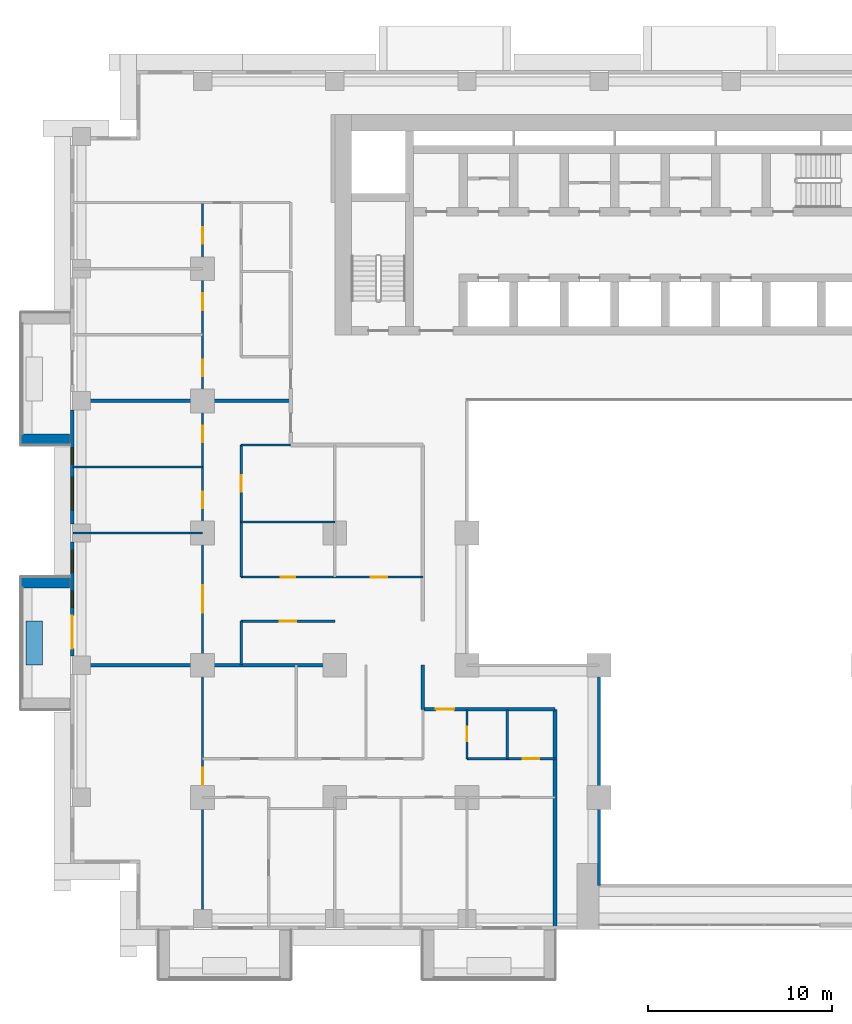
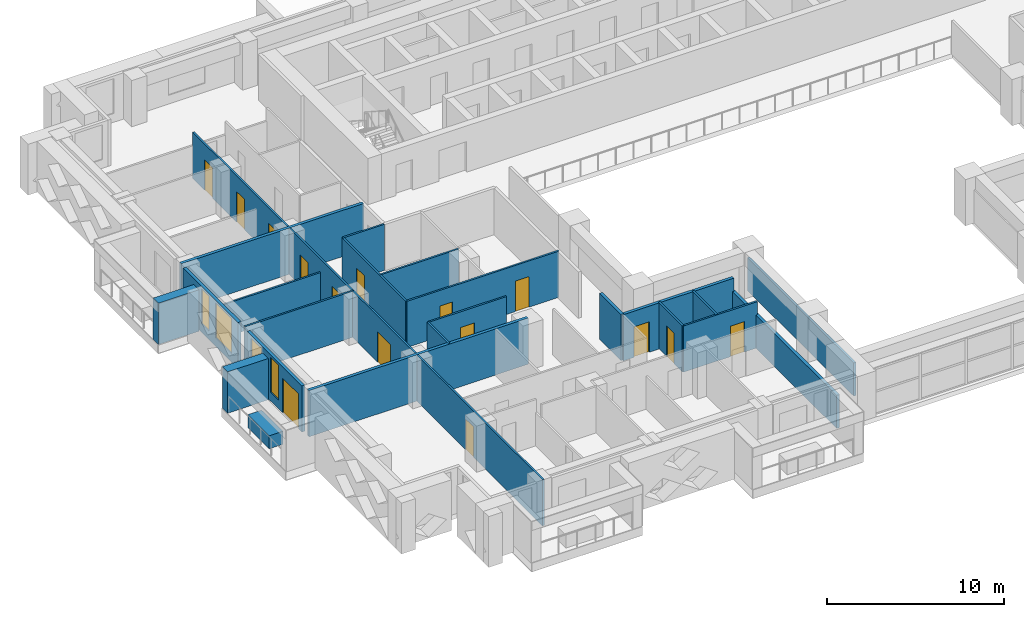
# One storey, part 7 of 17: 23 walls, 15 doors, 4 windows, 19 openings.
"""IFC4 building model written with IfcOpenShell, lengths in metres."""

from ifc_helpers import new_model, si_unit, direction, frame, frame_2d, origin, place, context, subcontext, project, spatial, rectangle, extrude, material, layer, layer_set, type_object, element, fill, save


model = new_model("IFC4")

# Units and contexts
model_context = context("Model", 3, precision=1e-05, world=origin(), true_north=direction((0.0, 1.0)))
body_context = subcontext(model_context, "Body", "Model", "MODEL_VIEW")
ifc_project = project(units=[si_unit("LENGTHUNIT", "METRE"), si_unit("AREAUNIT", "SQUARE_METRE"), si_unit("VOLUMEUNIT", "CUBIC_METRE"), si_unit("PLANEANGLEUNIT", "RADIAN"), si_unit("MASSUNIT", "GRAM", prefix="KILO")], contexts=[model_context])

# Site, building, storey
site_placement = place(None, origin())
site = spatial("IfcSite", under=ifc_project, at=site_placement, CompositionType="ELEMENT")
building_placement = place(site_placement, origin())
building = spatial("IfcBuilding", under=site, at=building_placement, Name="Saffron Iwan Residences", CompositionType="ELEMENT")
storey_placement = place(building_placement, frame((0.0, 0.0, 76.0)))
storey = spatial("IfcBuildingStorey", under=building, at=storey_placement, Name="L19", CompositionType="ELEMENT", Elevation=76.0)

# Walls
ifc_material_1 = material(Name="Fire-rated glazing", Category="glass")
ifc_layer_1 = layer(ifc_material_1, 0.14990234375)
ifc_layer_set_1 = layer_set([ifc_layer_1], Name="Fire-rated glazing")
wall_type_1 = type_object("IfcWallType", Name="Atrium glazed screen 150", PredefinedType="SOLIDWALL", material=ifc_layer_set_1)
wall_1_placement = place(storey_placement, frame((43.199951171875, 36.0, 0.0), z_axis=(0.0, 0.0, 1.0), x_axis=(0.0, 1.0, 0.0)))
element("IfcWall", 1, at=wall_1_placement, inside=storey, type_object=wall_type_1, Name="W-L19-SCREEN-v43.2-36", PredefinedType="SOLIDWALL", context=body_context, shape_type="SweptSolid", body=[
    extrude(rectangle(XDim=12.0, YDim=0.14990234375, at=frame_2d((6.0, 0.0))), origin(), (0.0, 0.0, 1.0), 2.280029296875),
])
ifc_material_2 = material(Name="Concrete C50/60 white painted", Category="concrete")
ifc_layer_2 = layer(ifc_material_2, 0.60009765625)
ifc_layer_set_2 = layer_set([ifc_layer_2], Name="Concrete C50/60 white painted")
wall_type_2 = type_object("IfcWallType", Name="BALCONY FIN 600", PredefinedType="SOLIDWALL", material=ifc_layer_set_2)
for number, where, z_axis, x_axis, name in (
    (2, (14.35009765625, 60.300048828125, 0.0), (0.0, 0.0, 1.0), (-1.0, 0.0, 0.0), "Balcony fin L19 F8-0b"),
    (3, (14.35009765625, 52.5, 0.0), (0.0, 0.0, 1.0), (-1.0, 0.0, 0.0), "Balcony fin L19 F8-1a"),
):
    element("IfcWall", number, at=place(storey_placement, frame(where, z_axis=z_axis, x_axis=x_axis)), inside=storey, type_object=wall_type_2, Name=name, PredefinedType="SOLIDWALL", context=body_context, shape_type="SweptSolid", body=[
        extrude(rectangle(XDim=2.650146484375, YDim=0.60009765625, at=frame_2d((1.3251953125, 0.0))), origin(), (0.0, 0.0, 1.0), 2.85009765625),
    ])
ifc_material_3 = material(Name="Concrete C35/45 white painted", Category="concrete")
ifc_layer_3 = layer(ifc_material_3, 0.14990234375)
ifc_layer_set_3 = layer_set([ifc_layer_3], Name="Concrete C35/45 white painted")
wall_type_3 = type_object("IfcWallType", Name="BALCONY PLANTER", PredefinedType="SOLIDWALL", material=ifc_layer_set_3)
wall_2_placement = place(storey_placement, frame((12.425048828125, 50.39990234375, 0.0), z_axis=(0.0, 0.0, 1.0), x_axis=(0.0, -1.0, 0.0)))
element("IfcWall", 4, at=wall_2_placement, inside=storey, type_object=wall_type_3, Name="PLANTER L19 F8-1", PredefinedType="SOLIDWALL", context=body_context, shape_type="SweptSolid", body=[
    extrude(rectangle(XDim=2.39990234375, YDim=0.89990234375, at=frame_2d((1.199951171875, 0.0))), origin(), (0.0, 0.0, 1.0), 0.89990234375),
])

# Wall, openings, windows
ifc_material_4 = material(Name="Concrete C40/50", Category="concrete")
ifc_layer_4 = layer(ifc_material_4, 0.199951171875)
ifc_layer_set_4 = layer_set([ifc_layer_4], Name="Concrete C40/50")
wall_type_4 = type_object("IfcWallType", Name="EXTERNAL WALL 200", PredefinedType="SOLIDWALL", material=ifc_layer_set_4)
wall_3_placement = place(storey_placement, frame((14.5, 61.89990234375, 0.0), z_axis=(0.0, 0.0, 1.0), x_axis=(0.0, -1.0, 0.0)))
wall_3 = element("IfcWall", 5, at=wall_3_placement, inside=storey, type_object=wall_type_4, Name="External wall L19 F8.2", PredefinedType="SOLIDWALL", context=body_context, shape_type="SweptSolid", body=[
    extrude(rectangle(XDim=6.199951171875, YDim=0.199951171875, at=frame_2d((3.10009765625, 0.0))), origin(), (0.0, 0.0, 1.0), 3.179931640625),
])
opening_1_placement = place(wall_3_placement, frame((3.64990234375, 0.0, 0.60009765625)))
opening_1 = element("IfcOpeningElement", 6, at=opening_1_placement, cuts=wall_3, Name="Opening W8", PredefinedType="OPENING", context=body_context, shape_type="SweptSolid", body=[
    extrude(rectangle(XDim=1.800048828125, YDim=2.39990234375, at=frame_2d((0.89990234375, 1.199951171875))), frame((0.0, 0.10986328125, 0.0), z_axis=(0.0, -1.0, 0.0), x_axis=(1.0, 0.0, 0.0)), (0.0, 0.0, 1.0), 0.219970703125),
])
opening_2_placement = place(wall_3_placement, frame((2.050048828125, 0.0, 0.60009765625)))
opening_2 = element("IfcOpeningElement", 7, at=opening_2_placement, cuts=wall_3, Name="Opening W10", PredefinedType="OPENING", context=body_context, shape_type="SweptSolid", body=[
    extrude(rectangle(XDim=0.89990234375, YDim=2.39990234375, at=frame_2d((0.449951171875, 1.199951171875))), frame((0.0, 0.10986328125, 0.0), z_axis=(0.0, -1.0, 0.0), x_axis=(1.0, 0.0, 0.0)), (0.0, 0.0, 1.0), 0.219970703125),
])
ifc_material_5 = material(Name="Clear glass, laminated double glazed", Category="glass")
window_type_1 = type_object("IfcWindowType", Name="WINDOW 1800 x 2400", PartitioningType="DOUBLE_PANEL_VERTICAL", PredefinedType="WINDOW", material=ifc_material_5)
window_1_placement = place(opening_1_placement, origin())
window_1 = element("IfcWindow", 8, at=window_1_placement, inside=storey, type_object=window_type_1, Name="Window L19 F8.0", OverallHeight=2.39990234375, OverallWidth=1.800048828125, PartitioningType="DOUBLE_PANEL_VERTICAL", PredefinedType="WINDOW", context=body_context, shape_type="SweptSolid", body=[
    extrude(rectangle(XDim=1.800048828125, YDim=2.39990234375, at=frame_2d((0.89990234375, 1.199951171875))), frame((0.0, 0.030029296875, 0.0), z_axis=(0.0, -1.0, 0.0), x_axis=(1.0, 0.0, 0.0)), (0.0, 0.0, 1.0), 0.06005859375),
])
fill(opening_1, window_1)
window_type_2 = type_object("IfcWindowType", Name="WINDOW 900 x 2400", PartitioningType="SINGLE_PANEL", PredefinedType="WINDOW", material=ifc_material_5)
window_2_placement = place(opening_2_placement, origin())
window_2 = element("IfcWindow", 9, at=window_2_placement, inside=storey, type_object=window_type_2, Name="Window L19 F8.1", OverallHeight=2.39990234375, OverallWidth=0.89990234375, PartitioningType="SINGLE_PANEL", PredefinedType="WINDOW", context=body_context, shape_type="SweptSolid", body=[
    extrude(rectangle(XDim=0.89990234375, YDim=2.39990234375, at=frame_2d((0.449951171875, 1.199951171875))), frame((0.0, 0.030029296875, 0.0), z_axis=(0.0, -1.0, 0.0), x_axis=(1.0, 0.0, 0.0)), (0.0, 0.0, 1.0), 0.06005859375),
])
fill(opening_2, window_2)

# Wall, openings, door, windows
wall_4_placement = place(storey_placement, frame((14.5, 54.699951171875, 0.0), z_axis=(0.0, 0.0, 1.0), x_axis=(0.0, -1.0, 0.0)))
wall_4 = element("IfcWall", 10, at=wall_4_placement, inside=storey, type_object=wall_type_4, Name="External wall L19 F8.3", PredefinedType="SOLIDWALL", context=body_context, shape_type="SweptSolid", body=[
    extrude(rectangle(XDim=6.199951171875, YDim=0.199951171875, at=frame_2d((3.10009765625, 0.0))), origin(), (0.0, 0.0, 1.0), 3.179931640625),
])
opening_3_placement = place(wall_4_placement, frame((4.0, 0.0, 0.0)))
opening_3 = element("IfcOpeningElement", 11, at=opening_3_placement, cuts=wall_4, Name="Opening BD1", PredefinedType="OPENING", context=body_context, shape_type="SweptSolid", body=[
    extrude(rectangle(XDim=1.800048828125, YDim=2.39990234375, at=frame_2d((0.89990234375, 1.199951171875))), frame((0.0, 0.10986328125, 0.0), z_axis=(0.0, -1.0, 0.0), x_axis=(1.0, 0.0, 0.0)), (0.0, 0.0, 1.0), 0.219970703125),
])
opening_4_placement = place(wall_4_placement, frame((0.449951171875, 0.0, 0.60009765625)))
opening_4 = element("IfcOpeningElement", 12, at=opening_4_placement, cuts=wall_4, Name="Opening W3", PredefinedType="OPENING", context=body_context, shape_type="SweptSolid", body=[
    extrude(rectangle(XDim=1.199951171875, YDim=2.39990234375, at=frame_2d((0.60009765625, 1.199951171875))), frame((0.0, 0.10986328125, 0.0), z_axis=(0.0, -1.0, 0.0), x_axis=(1.0, 0.0, 0.0)), (0.0, 0.0, 1.0), 0.219970703125),
])
opening_5_placement = place(wall_4_placement, frame((2.64990234375, 0.0, 0.60009765625)))
opening_5 = element("IfcOpeningElement", 13, at=opening_5_placement, cuts=wall_4, Name="Opening W10", PredefinedType="OPENING", context=body_context, shape_type="SweptSolid", body=[
    extrude(rectangle(XDim=0.89990234375, YDim=2.39990234375, at=frame_2d((0.449951171875, 1.199951171875))), frame((0.0, 0.10986328125, 0.0), z_axis=(0.0, -1.0, 0.0), x_axis=(1.0, 0.0, 0.0)), (0.0, 0.0, 1.0), 0.219970703125),
])
door_type_1 = type_object("IfcDoorType", Name="BALCONY DOOR 1800 x 2400", OperationType="DOUBLE_DOOR_SLIDING", PredefinedType="DOOR", material=ifc_material_5)
door_1_placement = place(opening_3_placement, origin())
door_1 = element("IfcDoor", 14, at=door_1_placement, inside=storey, type_object=door_type_1, Name="Balcony door L19 F8.0", OperationType="DOUBLE_DOOR_SLIDING", OverallHeight=2.39990234375, OverallWidth=1.800048828125, PredefinedType="DOOR", context=body_context, shape_type="SweptSolid", body=[
    extrude(rectangle(XDim=1.800048828125, YDim=2.39990234375, at=frame_2d((0.89990234375, 1.199951171875))), frame((0.0, 0.02490234375, 0.0), z_axis=(0.0, -1.0, 0.0), x_axis=(1.0, 0.0, 0.0)), (0.0, 0.0, 1.0), 0.050048828125),
])
fill(opening_3, door_1)
window_type_3 = type_object("IfcWindowType", Name="WINDOW 1200 x 2400", PartitioningType="SINGLE_PANEL", PredefinedType="WINDOW", material=ifc_material_5)
window_3_placement = place(opening_4_placement, origin())
window_3 = element("IfcWindow", 15, at=window_3_placement, inside=storey, type_object=window_type_3, Name="Window L19 F8.1", OverallHeight=2.39990234375, OverallWidth=1.199951171875, PartitioningType="SINGLE_PANEL", PredefinedType="WINDOW", context=body_context, shape_type="SweptSolid", body=[
    extrude(rectangle(XDim=1.199951171875, YDim=2.39990234375, at=frame_2d((0.60009765625, 1.199951171875))), frame((0.0, 0.030029296875, 0.0), z_axis=(0.0, -1.0, 0.0), x_axis=(1.0, 0.0, 0.0)), (0.0, 0.0, 1.0), 0.06005859375),
])
fill(opening_4, window_3)
window_4_placement = place(opening_5_placement, origin())
window_4 = element("IfcWindow", 16, at=window_4_placement, inside=storey, type_object=window_type_2, Name="Window L19 F8.2", OverallHeight=2.39990234375, OverallWidth=0.89990234375, PartitioningType="SINGLE_PANEL", PredefinedType="WINDOW", context=body_context, shape_type="SweptSolid", body=[
    extrude(rectangle(XDim=0.89990234375, YDim=2.39990234375, at=frame_2d((0.449951171875, 1.199951171875))), frame((0.0, 0.030029296875, 0.0), z_axis=(0.0, -1.0, 0.0), x_axis=(1.0, 0.0, 0.0)), (0.0, 0.0, 1.0), 0.06005859375),
])
fill(opening_5, window_4)

# Walls
ifc_material_6 = material(Name="Fire-rated gypsum board wall")
ifc_layer_5 = layer(ifc_material_6, 0.199951171875)
ifc_layer_set_5 = layer_set([ifc_layer_5], Name="Fire-rated gypsum board wall")
wall_type_5 = type_object("IfcWallType", Name="Flat demising wall 200", PredefinedType="SOLIDWALL", material=ifc_layer_set_5)
wall_5_placement = place(storey_placement, frame((14.52490234375, 48.0, 0.0), z_axis=(0.0, 0.0, 1.0), x_axis=(1.0, 0.0, 0.0)))
element("IfcWall", 17, at=wall_5_placement, inside=storey, type_object=wall_type_5, Name="W-L19-DEMISE-h48-14.525", PredefinedType="SOLIDWALL", context=body_context, shape_type="SweptSolid", body=[
    extrude(rectangle(XDim=14.275146484375, YDim=0.199951171875, at=frame_2d((7.1376953125, 0.0))), origin(), (0.0, 0.0, 1.0), 3.179931640625),
])
wall_6_placement = place(storey_placement, frame((14.52490234375, 62.39990234375, 0.0), z_axis=(0.0, 0.0, 1.0), x_axis=(1.0, 0.0, 0.0)))
element("IfcWall", 18, at=wall_6_placement, inside=storey, type_object=wall_type_5, Name="W-L19-DEMISE-h62.4-14.525", PredefinedType="SOLIDWALL", context=body_context, shape_type="SweptSolid", body=[
    extrude(rectangle(XDim=11.875, YDim=0.199951171875, at=frame_2d((5.9375, 0.0))), origin(), (0.0, 0.0, 1.0), 3.179931640625),
])

# Wall, opening, door
ifc_material_7 = material(Name="Gypsum board partition")
ifc_layer_6 = layer(ifc_material_7, 0.1201171875)
ifc_layer_set_6 = layer_set([ifc_layer_6], Name="Gypsum board partition")
wall_type_6 = type_object("IfcWallType", Name="Flat partition 120", PredefinedType="PARTITIONING", material=ifc_layer_set_6)
wall_7_placement = place(storey_placement, frame((36.0, 42.89990234375, 0.0), z_axis=(0.0, 0.0, 1.0), x_axis=(1.0, 0.0, 0.0)))
wall_7 = element("IfcWall", 19, at=wall_7_placement, inside=storey, type_object=wall_type_6, Name="W-L19-PART-h42.9-36", PredefinedType="PARTITIONING", context=body_context, shape_type="SweptSolid", body=[
    extrude(rectangle(XDim=4.800048828125, YDim=0.1201171875, at=frame_2d((2.39990234375, 0.0))), origin(), (0.0, 0.0, 1.0), 3.179931640625),
])
opening_6_placement = place(wall_7_placement, frame((3.050048828125, 0.0, 0.0)))
opening_6 = element("IfcOpeningElement", 20, at=opening_6_placement, cuts=wall_7, Name="Opening FD2", PredefinedType="OPENING", context=body_context, shape_type="SweptSolid", body=[
    extrude(rectangle(XDim=0.89990234375, YDim=2.10009765625, at=frame_2d((0.449951171875, 1.050048828125))), frame((0.0, 0.070068359375, 0.0), z_axis=(0.0, -1.0, 0.0), x_axis=(1.0, 0.0, 0.0)), (0.0, 0.0, 1.0), 0.14013671875),
])
ifc_material_8 = material(Name="Timber door", Category="wood")
door_type_2 = type_object("IfcDoorType", Name="Flat door 900", OperationType="NOTDEFINED", PredefinedType="DOOR", material=ifc_material_8)
door_2_placement = place(opening_6_placement, origin())
door_2 = element("IfcDoor", 21, at=door_2_placement, inside=storey, type_object=door_type_2, Name="Door L19-012", OperationType="SINGLE_SWING_RIGHT", OverallHeight=2.10009765625, OverallWidth=0.89990234375, PredefinedType="DOOR", context=body_context, shape_type="SweptSolid", body=[
    extrude(rectangle(XDim=0.89990234375, YDim=2.10009765625, at=frame_2d((0.449951171875, 1.050048828125))), frame((0.0, 0.02490234375, 0.0), z_axis=(0.0, -1.0, 0.0), x_axis=(1.0, 0.0, 0.0)), (0.0, 0.0, 1.0), 0.050048828125),
])
fill(opening_6, door_2)

wall_8_placement = place(storey_placement, frame((23.699951171875, 50.39990234375, 0.0), z_axis=(0.0, 0.0, 1.0), x_axis=(1.0, 0.0, 0.0)))
wall_8 = element("IfcWall", 22, at=wall_8_placement, inside=storey, type_object=wall_type_6, Name="W-L19-PART-h50.4-23.7", PredefinedType="PARTITIONING", context=body_context, shape_type="SweptSolid", body=[
    extrude(rectangle(XDim=5.10009765625, YDim=0.1201171875, at=frame_2d((2.550048828125, 0.0))), origin(), (0.0, 0.0, 1.0), 3.179931640625),
])
opening_7_placement = place(wall_8_placement, frame((2.10009765625, 0.0, 0.0)))
opening_7 = element("IfcOpeningElement", 23, at=opening_7_placement, cuts=wall_8, Name="Opening FD2", PredefinedType="OPENING", context=body_context, shape_type="SweptSolid", body=[
    extrude(rectangle(XDim=0.89990234375, YDim=2.10009765625, at=frame_2d((0.449951171875, 1.050048828125))), frame((0.0, 0.070068359375, 0.0), z_axis=(0.0, -1.0, 0.0), x_axis=(1.0, 0.0, 0.0)), (0.0, 0.0, 1.0), 0.14013671875),
])
door_3_placement = place(opening_7_placement, origin())
door_3 = element("IfcDoor", 24, at=door_3_placement, inside=storey, type_object=door_type_2, Name="Door L19-017", OperationType="SINGLE_SWING_LEFT", OverallHeight=2.10009765625, OverallWidth=0.89990234375, PredefinedType="DOOR", context=body_context, shape_type="SweptSolid", body=[
    extrude(rectangle(XDim=0.89990234375, YDim=2.10009765625, at=frame_2d((0.449951171875, 1.050048828125))), frame((0.0, 0.02490234375, 0.0), z_axis=(0.0, -1.0, 0.0), x_axis=(1.0, 0.0, 0.0)), (0.0, 0.0, 1.0), 0.050048828125),
])
fill(opening_7, door_3)

# Wall, openings, doors
wall_9_placement = place(storey_placement, frame((23.699951171875, 52.800048828125, 0.0), z_axis=(0.0, 0.0, 1.0), x_axis=(1.0, 0.0, 0.0)))
wall_9 = element("IfcWall", 25, at=wall_9_placement, inside=storey, type_object=wall_type_6, Name="W-L19-PART-h52.8-23.7", PredefinedType="PARTITIONING", context=body_context, shape_type="SweptSolid", body=[
    extrude(rectangle(XDim=9.900146484375, YDim=0.1201171875, at=frame_2d((4.9501953125, 0.0))), origin(), (0.0, 0.0, 1.0), 3.179931640625),
])
opening_8_placement = place(wall_9_placement, frame((2.14990234375, 0.0, 0.0)))
opening_8 = element("IfcOpeningElement", 26, at=opening_8_placement, cuts=wall_9, Name="Opening FD3", PredefinedType="OPENING", context=body_context, shape_type="SweptSolid", body=[
    extrude(rectangle(XDim=0.800048828125, YDim=2.10009765625, at=frame_2d((0.39990234375, 1.050048828125))), frame((0.0, 0.070068359375, 0.0), z_axis=(0.0, -1.0, 0.0), x_axis=(1.0, 0.0, 0.0)), (0.0, 0.0, 1.0), 0.14013671875),
])
opening_9_placement = place(wall_9_placement, frame((7.050048828125, 0.0, 0.0)))
opening_9 = element("IfcOpeningElement", 27, at=opening_9_placement, cuts=wall_9, Name="Opening FD2", PredefinedType="OPENING", context=body_context, shape_type="SweptSolid", body=[
    extrude(rectangle(XDim=0.89990234375, YDim=2.10009765625, at=frame_2d((0.449951171875, 1.050048828125))), frame((0.0, 0.070068359375, 0.0), z_axis=(0.0, -1.0, 0.0), x_axis=(1.0, 0.0, 0.0)), (0.0, 0.0, 1.0), 0.14013671875),
])
door_type_3 = type_object("IfcDoorType", Name="Bathroom door 800", OperationType="NOTDEFINED", PredefinedType="DOOR", material=ifc_material_8)
door_4_placement = place(opening_8_placement, origin())
door_4 = element("IfcDoor", 28, at=door_4_placement, inside=storey, type_object=door_type_3, Name="Door L19-018", OperationType="SINGLE_SWING_RIGHT", OverallHeight=2.10009765625, OverallWidth=0.800048828125, PredefinedType="DOOR", context=body_context, shape_type="SweptSolid", body=[
    extrude(rectangle(XDim=0.800048828125, YDim=2.10009765625, at=frame_2d((0.39990234375, 1.050048828125))), frame((0.0, 0.02490234375, 0.0), z_axis=(0.0, -1.0, 0.0), x_axis=(1.0, 0.0, 0.0)), (0.0, 0.0, 1.0), 0.050048828125),
])
fill(opening_8, door_4)
door_5_placement = place(opening_9_placement, origin())
door_5 = element("IfcDoor", 29, at=door_5_placement, inside=storey, type_object=door_type_2, Name="Door L19-020", OperationType="SINGLE_SWING_LEFT", OverallHeight=2.10009765625, OverallWidth=0.89990234375, PredefinedType="DOOR", context=body_context, shape_type="SweptSolid", body=[
    extrude(rectangle(XDim=0.89990234375, YDim=2.10009765625, at=frame_2d((0.449951171875, 1.050048828125))), frame((0.0, 0.02490234375, 0.0), z_axis=(0.0, -1.0, 0.0), x_axis=(1.0, 0.0, 0.0)), (0.0, 0.0, 1.0), 0.050048828125),
])
fill(opening_9, door_5)

# Walls
wall_10_placement = place(storey_placement, frame((14.52490234375, 55.199951171875, 0.0), z_axis=(0.0, 0.0, 1.0), x_axis=(1.0, 0.0, 0.0)))
element("IfcWall", 30, at=wall_10_placement, inside=storey, type_object=wall_type_6, Name="W-L19-PART-h55.2-14.525", PredefinedType="PARTITIONING", context=body_context, shape_type="SweptSolid", body=[
    extrude(rectangle(XDim=7.0751953125, YDim=0.1201171875, at=frame_2d((3.53759765625, 0.0))), origin(), (0.0, 0.0, 1.0), 3.179931640625),
])
wall_11_placement = place(storey_placement, frame((23.699951171875, 55.800048828125, 0.0), z_axis=(0.0, 0.0, 1.0), x_axis=(1.0, 0.0, 0.0)))
element("IfcWall", 31, at=wall_11_placement, inside=storey, type_object=wall_type_6, Name="W-L19-PART-h55.8-23.7", PredefinedType="PARTITIONING", context=body_context, shape_type="SweptSolid", body=[
    extrude(rectangle(XDim=5.10009765625, YDim=0.1201171875, at=frame_2d((2.550048828125, 0.0))), origin(), (0.0, 0.0, 1.0), 3.179931640625),
])
wall_12_placement = place(storey_placement, frame((14.52490234375, 58.800048828125, 0.0), z_axis=(0.0, 0.0, 1.0), x_axis=(1.0, 0.0, 0.0)))
element("IfcWall", 32, at=wall_12_placement, inside=storey, type_object=wall_type_6, Name="W-L19-PART-h58.8-14.525", PredefinedType="PARTITIONING", context=body_context, shape_type="SweptSolid", body=[
    extrude(rectangle(XDim=7.0751953125, YDim=0.1201171875, at=frame_2d((3.53759765625, 0.0))), origin(), (0.0, 0.0, 1.0), 2.280029296875),
])
wall_13_placement = place(storey_placement, frame((23.699951171875, 60.0, 0.0), z_axis=(0.0, 0.0, 1.0), x_axis=(1.0, 0.0, 0.0)))
element("IfcWall", 33, at=wall_13_placement, inside=storey, type_object=wall_type_6, Name="W-L19-PART-h60-23.7", PredefinedType="PARTITIONING", context=body_context, shape_type="SweptSolid", body=[
    extrude(rectangle(XDim=2.699951171875, YDim=0.1201171875, at=frame_2d((1.35009765625, 0.0))), origin(), (0.0, 0.0, 1.0), 3.179931640625),
])

# Wall, openings, doors
wall_14_placement = place(storey_placement, frame((21.60009765625, 33.72509765625, 0.0), z_axis=(0.0, 0.0, 1.0), x_axis=(0.0, 1.0, 0.0)))
wall_14 = element("IfcWall", 34, at=wall_14_placement, inside=storey, type_object=wall_type_6, Name="W-L19-PART-v21.6-33.725", PredefinedType="PARTITIONING", context=body_context, shape_type="SweptSolid", body=[
    extrude(rectangle(XDim=39.474853515625, YDim=0.1201171875, at=frame_2d((19.7373046875, 0.0))), origin(), (0.0, 0.0, 1.0), 3.179931640625),
])
opening_10_placement = place(wall_14_placement, frame((7.77490234375, 0.0, 0.0)))
opening_10 = element("IfcOpeningElement", 35, at=opening_10_placement, cuts=wall_14, Name="Opening FD2", PredefinedType="OPENING", context=body_context, shape_type="SweptSolid", body=[
    extrude(rectangle(XDim=0.89990234375, YDim=2.10009765625, at=frame_2d((0.449951171875, 1.050048828125))), frame((0.0, 0.070068359375, 0.0), z_axis=(0.0, -1.0, 0.0), x_axis=(1.0, 0.0, 0.0)), (0.0, 0.0, 1.0), 0.14013671875),
])
opening_11_placement = place(wall_14_placement, frame((17.125, 0.0, 0.0)))
opening_11 = element("IfcOpeningElement", 36, at=opening_11_placement, cuts=wall_14, Name="Opening FD4", PredefinedType="OPENING", context=body_context, shape_type="SweptSolid", body=[
    extrude(rectangle(XDim=1.5, YDim=2.10009765625, at=frame_2d((0.75, 1.050048828125))), frame((0.0, 0.070068359375, 0.0), z_axis=(0.0, -1.0, 0.0), x_axis=(1.0, 0.0, 0.0)), (0.0, 0.0, 1.0), 0.14013671875),
])
opening_12_placement = place(wall_14_placement, frame((22.824951171875, 0.0, 0.0)))
opening_12 = element("IfcOpeningElement", 37, at=opening_12_placement, cuts=wall_14, Name="Opening FD2", PredefinedType="OPENING", context=body_context, shape_type="SweptSolid", body=[
    extrude(rectangle(XDim=0.89990234375, YDim=2.10009765625, at=frame_2d((0.449951171875, 1.050048828125))), frame((0.0, 0.070068359375, 0.0), z_axis=(0.0, -1.0, 0.0), x_axis=(1.0, 0.0, 0.0)), (0.0, 0.0, 1.0), 0.14013671875),
])
opening_13_placement = place(wall_14_placement, frame((26.425048828125, 0.0, 0.0)))
opening_13 = element("IfcOpeningElement", 38, at=opening_13_placement, cuts=wall_14, Name="Opening FD2", PredefinedType="OPENING", context=body_context, shape_type="SweptSolid", body=[
    extrude(rectangle(XDim=0.89990234375, YDim=2.10009765625, at=frame_2d((0.449951171875, 1.050048828125))), frame((0.0, 0.070068359375, 0.0), z_axis=(0.0, -1.0, 0.0), x_axis=(1.0, 0.0, 0.0)), (0.0, 0.0, 1.0), 0.14013671875),
])
opening_14_placement = place(wall_14_placement, frame((30.02490234375, 0.0, 0.0)))
opening_14 = element("IfcOpeningElement", 39, at=opening_14_placement, cuts=wall_14, Name="Opening FD2", PredefinedType="OPENING", context=body_context, shape_type="SweptSolid", body=[
    extrude(rectangle(XDim=0.89990234375, YDim=2.10009765625, at=frame_2d((0.449951171875, 1.050048828125))), frame((0.0, 0.070068359375, 0.0), z_axis=(0.0, -1.0, 0.0), x_axis=(1.0, 0.0, 0.0)), (0.0, 0.0, 1.0), 0.14013671875),
])
opening_15_placement = place(wall_14_placement, frame((33.625, 0.0, 0.0)))
opening_15 = element("IfcOpeningElement", 40, at=opening_15_placement, cuts=wall_14, Name="Opening FD2", PredefinedType="OPENING", context=body_context, shape_type="SweptSolid", body=[
    extrude(rectangle(XDim=0.89990234375, YDim=2.10009765625, at=frame_2d((0.449951171875, 1.050048828125))), frame((0.0, 0.070068359375, 0.0), z_axis=(0.0, -1.0, 0.0), x_axis=(1.0, 0.0, 0.0)), (0.0, 0.0, 1.0), 0.14013671875),
])
opening_16_placement = place(wall_14_placement, frame((37.22509765625, 0.0, 0.0)))
opening_16 = element("IfcOpeningElement", 41, at=opening_16_placement, cuts=wall_14, Name="Opening FD2", PredefinedType="OPENING", context=body_context, shape_type="SweptSolid", body=[
    extrude(rectangle(XDim=0.89990234375, YDim=2.10009765625, at=frame_2d((0.449951171875, 1.050048828125))), frame((0.0, 0.070068359375, 0.0), z_axis=(0.0, -1.0, 0.0), x_axis=(1.0, 0.0, 0.0)), (0.0, 0.0, 1.0), 0.14013671875),
])
door_type_4 = type_object("IfcDoorType", Name="Double door 1500", OperationType="NOTDEFINED", PredefinedType="DOOR", material=ifc_material_8)
door_6_placement = place(opening_11_placement, origin())
door_6 = element("IfcDoor", 42, at=door_6_placement, inside=storey, type_object=door_type_4, Name="Door L19-014", OperationType="SINGLE_SWING_LEFT", OverallHeight=2.10009765625, OverallWidth=1.5, PredefinedType="DOOR", context=body_context, shape_type="SweptSolid", body=[
    extrude(rectangle(XDim=1.5, YDim=2.10009765625, at=frame_2d((0.75, 1.050048828125))), frame((0.0, 0.02490234375, 0.0), z_axis=(0.0, -1.0, 0.0), x_axis=(1.0, 0.0, 0.0)), (0.0, 0.0, 1.0), 0.050048828125),
])
fill(opening_11, door_6)
door_7_placement = place(opening_10_placement, origin())
door_7 = element("IfcDoor", 43, at=door_7_placement, inside=storey, type_object=door_type_2, Name="Door L19-002", OperationType="SINGLE_SWING_RIGHT", OverallHeight=2.10009765625, OverallWidth=0.89990234375, PredefinedType="DOOR", context=body_context, shape_type="SweptSolid", body=[
    extrude(rectangle(XDim=0.89990234375, YDim=2.10009765625, at=frame_2d((0.449951171875, 1.050048828125))), frame((0.0, 0.02490234375, 0.0), z_axis=(0.0, -1.0, 0.0), x_axis=(1.0, 0.0, 0.0)), (0.0, 0.0, 1.0), 0.050048828125),
])
fill(opening_10, door_7)
door_8_placement = place(opening_12_placement, origin())
door_8 = element("IfcDoor", 44, at=door_8_placement, inside=storey, type_object=door_type_2, Name="Door L19-015", OperationType="SINGLE_SWING_RIGHT", OverallHeight=2.10009765625, OverallWidth=0.89990234375, PredefinedType="DOOR", context=body_context, shape_type="SweptSolid", body=[
    extrude(rectangle(XDim=0.89990234375, YDim=2.10009765625, at=frame_2d((0.449951171875, 1.050048828125))), frame((0.0, 0.02490234375, 0.0), z_axis=(0.0, -1.0, 0.0), x_axis=(1.0, 0.0, 0.0)), (0.0, 0.0, 1.0), 0.050048828125),
])
fill(opening_12, door_8)
door_9_placement = place(opening_13_placement, origin())
door_9 = element("IfcDoor", 45, at=door_9_placement, inside=storey, type_object=door_type_2, Name="Door L19-016", OperationType="SINGLE_SWING_LEFT", OverallHeight=2.10009765625, OverallWidth=0.89990234375, PredefinedType="DOOR", context=body_context, shape_type="SweptSolid", body=[
    extrude(rectangle(XDim=0.89990234375, YDim=2.10009765625, at=frame_2d((0.449951171875, 1.050048828125))), frame((0.0, 0.02490234375, 0.0), z_axis=(0.0, -1.0, 0.0), x_axis=(1.0, 0.0, 0.0)), (0.0, 0.0, 1.0), 0.050048828125),
])
fill(opening_13, door_9)
door_10_placement = place(opening_14_placement, origin())
door_10 = element("IfcDoor", 46, at=door_10_placement, inside=storey, type_object=door_type_2, Name="Door L19-030", OperationType="SINGLE_SWING_RIGHT", OverallHeight=2.10009765625, OverallWidth=0.89990234375, PredefinedType="DOOR", context=body_context, shape_type="SweptSolid", body=[
    extrude(rectangle(XDim=0.89990234375, YDim=2.10009765625, at=frame_2d((0.449951171875, 1.050048828125))), frame((0.0, 0.02490234375, 0.0), z_axis=(0.0, -1.0, 0.0), x_axis=(1.0, 0.0, 0.0)), (0.0, 0.0, 1.0), 0.050048828125),
])
fill(opening_14, door_10)
door_11_placement = place(opening_15_placement, origin())
door_11 = element("IfcDoor", 47, at=door_11_placement, inside=storey, type_object=door_type_2, Name="Door L19-031", OperationType="SINGLE_SWING_LEFT", OverallHeight=2.10009765625, OverallWidth=0.89990234375, PredefinedType="DOOR", context=body_context, shape_type="SweptSolid", body=[
    extrude(rectangle(XDim=0.89990234375, YDim=2.10009765625, at=frame_2d((0.449951171875, 1.050048828125))), frame((0.0, 0.02490234375, 0.0), z_axis=(0.0, -1.0, 0.0), x_axis=(1.0, 0.0, 0.0)), (0.0, 0.0, 1.0), 0.050048828125),
])
fill(opening_15, door_11)
door_12_placement = place(opening_16_placement, origin())
door_12 = element("IfcDoor", 48, at=door_12_placement, inside=storey, type_object=door_type_2, Name="Door L19-032", OperationType="SINGLE_SWING_LEFT", OverallHeight=2.10009765625, OverallWidth=0.89990234375, PredefinedType="DOOR", context=body_context, shape_type="SweptSolid", body=[
    extrude(rectangle(XDim=0.89990234375, YDim=2.10009765625, at=frame_2d((0.449951171875, 1.050048828125))), frame((0.0, 0.02490234375, 0.0), z_axis=(0.0, -1.0, 0.0), x_axis=(1.0, 0.0, 0.0)), (0.0, 0.0, 1.0), 0.050048828125),
])
fill(opening_16, door_12)

# Wall
wall_15_placement = place(storey_placement, frame((23.699951171875, 48.0, 0.0), z_axis=(0.0, 0.0, 1.0), x_axis=(0.0, 1.0, 0.0)))
element("IfcWall", 49, at=wall_15_placement, inside=storey, type_object=wall_type_6, Name="W-L19-PART-v23.7-48", PredefinedType="PARTITIONING", context=body_context, shape_type="SweptSolid", body=[
    extrude(rectangle(XDim=2.39990234375, YDim=0.1201171875, at=frame_2d((1.199951171875, 0.0))), origin(), (0.0, 0.0, 1.0), 3.179931640625),
])

# Wall, opening, door
wall_16_placement = place(storey_placement, frame((23.699951171875, 52.800048828125, 0.0), z_axis=(0.0, 0.0, 1.0), x_axis=(0.0, 1.0, 0.0)))
wall_16 = element("IfcWall", 50, at=wall_16_placement, inside=storey, type_object=wall_type_6, Name="W-L19-PART-v23.7-52.8", PredefinedType="PARTITIONING", context=body_context, shape_type="SweptSolid", body=[
    extrude(rectangle(XDim=7.199951171875, YDim=0.1201171875, at=frame_2d((3.60009765625, 0.0))), origin(), (0.0, 0.0, 1.0), 3.179931640625),
])
opening_17_placement = place(wall_16_placement, frame((4.64990234375, 0.0, 0.0)))
opening_17 = element("IfcOpeningElement", 51, at=opening_17_placement, cuts=wall_16, Name="Opening FD2", PredefinedType="OPENING", context=body_context, shape_type="SweptSolid", body=[
    extrude(rectangle(XDim=0.89990234375, YDim=2.10009765625, at=frame_2d((0.449951171875, 1.050048828125))), frame((0.0, 0.070068359375, 0.0), z_axis=(0.0, -1.0, 0.0), x_axis=(1.0, 0.0, 0.0)), (0.0, 0.0, 1.0), 0.14013671875),
])
door_13_placement = place(opening_17_placement, origin())
door_13 = element("IfcDoor", 52, at=door_13_placement, inside=storey, type_object=door_type_2, Name="Door L19-019", OperationType="SINGLE_SWING_LEFT", OverallHeight=2.10009765625, OverallWidth=0.89990234375, PredefinedType="DOOR", context=body_context, shape_type="SweptSolid", body=[
    extrude(rectangle(XDim=0.89990234375, YDim=2.10009765625, at=frame_2d((0.449951171875, 1.050048828125))), frame((0.0, 0.02490234375, 0.0), z_axis=(0.0, -1.0, 0.0), x_axis=(1.0, 0.0, 0.0)), (0.0, 0.0, 1.0), 0.050048828125),
])
fill(opening_17, door_13)

wall_17_placement = place(storey_placement, frame((36.0, 42.89990234375, 0.0), z_axis=(0.0, 0.0, 1.0), x_axis=(0.0, 1.0, 0.0)))
wall_17 = element("IfcWall", 53, at=wall_17_placement, inside=storey, type_object=wall_type_6, Name="W-L19-PART-v36-42.9", PredefinedType="PARTITIONING", context=body_context, shape_type="SweptSolid", body=[
    extrude(rectangle(XDim=2.7001953125, YDim=0.1201171875, at=frame_2d((1.35009765625, 0.0))), origin(), (0.0, 0.0, 1.0), 3.179931640625),
])
opening_18_placement = place(wall_17_placement, frame((0.949951171875, 0.0, 0.0)))
opening_18 = element("IfcOpeningElement", 54, at=opening_18_placement, cuts=wall_17, Name="Opening FD3", PredefinedType="OPENING", context=body_context, shape_type="SweptSolid", body=[
    extrude(rectangle(XDim=0.800048828125, YDim=2.10009765625, at=frame_2d((0.39990234375, 1.050048828125))), frame((0.0, 0.070068359375, 0.0), z_axis=(0.0, -1.0, 0.0), x_axis=(1.0, 0.0, 0.0)), (0.0, 0.0, 1.0), 0.14013671875),
])
door_14_placement = place(opening_18_placement, origin())
door_14 = element("IfcDoor", 55, at=door_14_placement, inside=storey, type_object=door_type_3, Name="Door L19-011", OperationType="SINGLE_SWING_LEFT", OverallHeight=2.10009765625, OverallWidth=0.800048828125, PredefinedType="DOOR", context=body_context, shape_type="SweptSolid", body=[
    extrude(rectangle(XDim=0.800048828125, YDim=2.10009765625, at=frame_2d((0.39990234375, 1.050048828125))), frame((0.0, 0.02490234375, 0.0), z_axis=(0.0, -1.0, 0.0), x_axis=(1.0, 0.0, 0.0)), (0.0, 0.0, 1.0), 0.050048828125),
])
fill(opening_18, door_14)

# Wall
wall_18_placement = place(storey_placement, frame((38.199951171875, 42.89990234375, 0.0), z_axis=(0.0, 0.0, 1.0), x_axis=(0.0, 1.0, 0.0)))
element("IfcWall", 56, at=wall_18_placement, inside=storey, type_object=wall_type_6, Name="W-L19-PART-v38.2-42.9", PredefinedType="PARTITIONING", context=body_context, shape_type="SweptSolid", body=[
    extrude(rectangle(XDim=2.7001953125, YDim=0.1201171875, at=frame_2d((1.35009765625, 0.0))), origin(), (0.0, 0.0, 1.0), 3.179931640625),
])

# Wall, opening, door
ifc_layer_7 = layer(ifc_material_6, 0.199951171875)
ifc_layer_set_7 = layer_set([ifc_layer_7], Name="Fire-rated gypsum board wall")
wall_type_7 = type_object("IfcWallType", Name="Gallery wall 200", PredefinedType="SOLIDWALL", material=ifc_layer_set_7)
wall_19_placement = place(storey_placement, frame((33.60009765625, 45.60009765625, 0.0), z_axis=(0.0, 0.0, 1.0), x_axis=(1.0, 0.0, 0.0)))
wall_19 = element("IfcWall", 57, at=wall_19_placement, inside=storey, type_object=wall_type_7, Name="W-L19-CORR-h45.6-33.6", PredefinedType="SOLIDWALL", context=body_context, shape_type="SweptSolid", body=[
    extrude(rectangle(XDim=7.199951171875, YDim=0.199951171875, at=frame_2d((3.60009765625, 0.0))), origin(), (0.0, 0.0, 1.0), 3.179931640625),
])
opening_19_placement = place(wall_19_placement, frame((0.699951171875, 0.0, 0.0)))
opening_19 = element("IfcOpeningElement", 58, at=opening_19_placement, cuts=wall_19, Name="Opening FD1", PredefinedType="OPENING", context=body_context, shape_type="SweptSolid", body=[
    extrude(rectangle(XDim=1.0, YDim=2.10009765625, at=frame_2d((0.5, 1.050048828125))), frame((0.0, 0.10986328125, 0.0), z_axis=(0.0, -1.0, 0.0), x_axis=(1.0, 0.0, 0.0)), (0.0, 0.0, 1.0), 0.219970703125),
])
ifc_material_9 = material(Name="Fire-rated timber door", Category="wood")
door_type_5 = type_object("IfcDoorType", Name="FD30S flat entrance door 1000", OperationType="NOTDEFINED", PredefinedType="DOOR", material=ifc_material_9)
door_15_placement = place(opening_19_placement, origin())
door_15 = element("IfcDoor", 59, at=door_15_placement, inside=storey, type_object=door_type_5, Name="Door L19-001", OperationType="SINGLE_SWING_LEFT", OverallHeight=2.10009765625, OverallWidth=1.0, PredefinedType="DOOR", context=body_context, shape_type="SweptSolid", body=[
    extrude(rectangle(XDim=1.0, YDim=2.10009765625, at=frame_2d((0.5, 1.050048828125))), frame((0.0, 0.02490234375, 0.0), z_axis=(0.0, -1.0, 0.0), x_axis=(1.0, 0.0, 0.0)), (0.0, 0.0, 1.0), 0.050048828125),
])
fill(opening_19, door_15)

# Walls
wall_20_placement = place(storey_placement, frame((33.60009765625, 45.60009765625, 0.0), z_axis=(0.0, 0.0, 1.0), x_axis=(0.0, 1.0, 0.0)))
element("IfcWall", 60, at=wall_20_placement, inside=storey, type_object=wall_type_7, Name="W-L19-CORR-v33.6-45.6", PredefinedType="SOLIDWALL", context=body_context, shape_type="SweptSolid", body=[
    extrude(rectangle(XDim=2.39990234375, YDim=0.199951171875, at=frame_2d((1.199951171875, 0.0))), origin(), (0.0, 0.0, 1.0), 3.179931640625),
])
wall_21_placement = place(storey_placement, frame((40.800048828125, 33.72509765625, 0.0), z_axis=(0.0, 0.0, 1.0), x_axis=(0.0, 1.0, 0.0)))
element("IfcWall", 61, at=wall_21_placement, inside=storey, type_object=wall_type_7, Name="W-L19-CORR-v40.8-33.725", PredefinedType="SOLIDWALL", context=body_context, shape_type="SweptSolid", body=[
    extrude(rectangle(XDim=11.875, YDim=0.199951171875, at=frame_2d((5.9375, 0.0))), origin(), (0.0, 0.0, 1.0), 2.280029296875),
])

save(model, "model.ifc")
